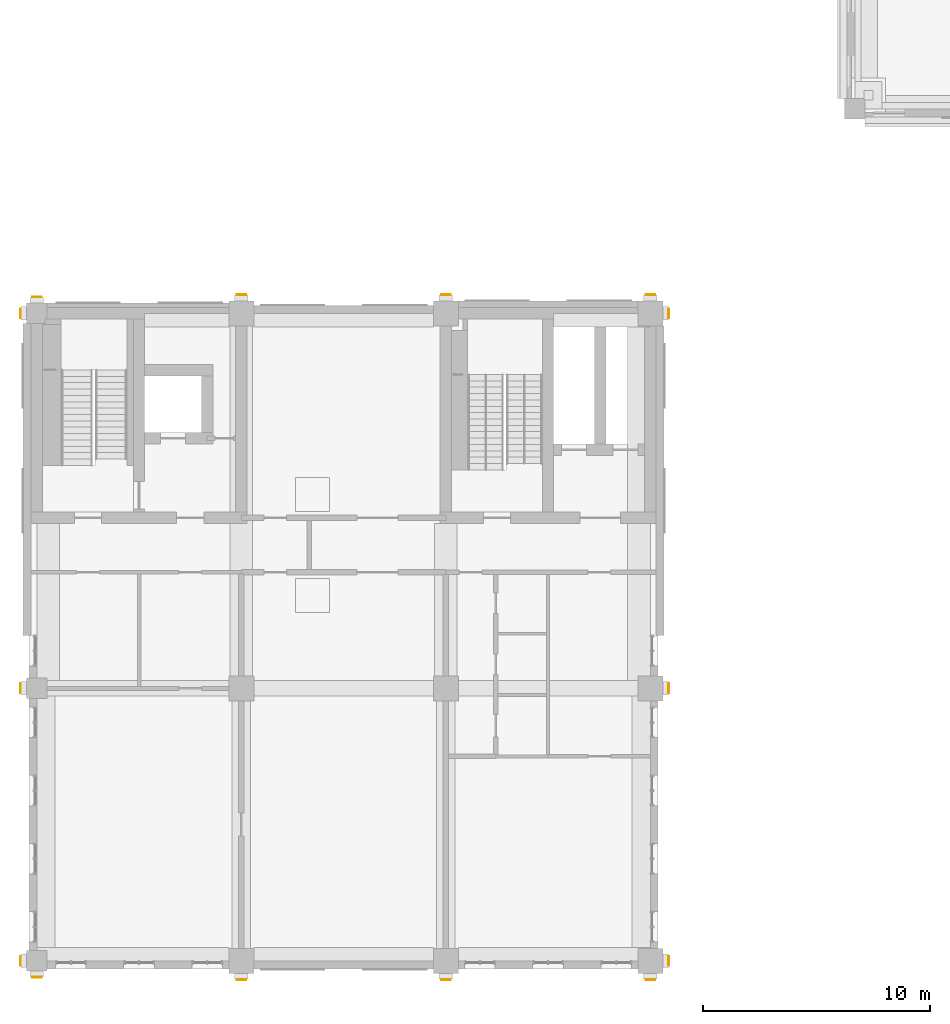
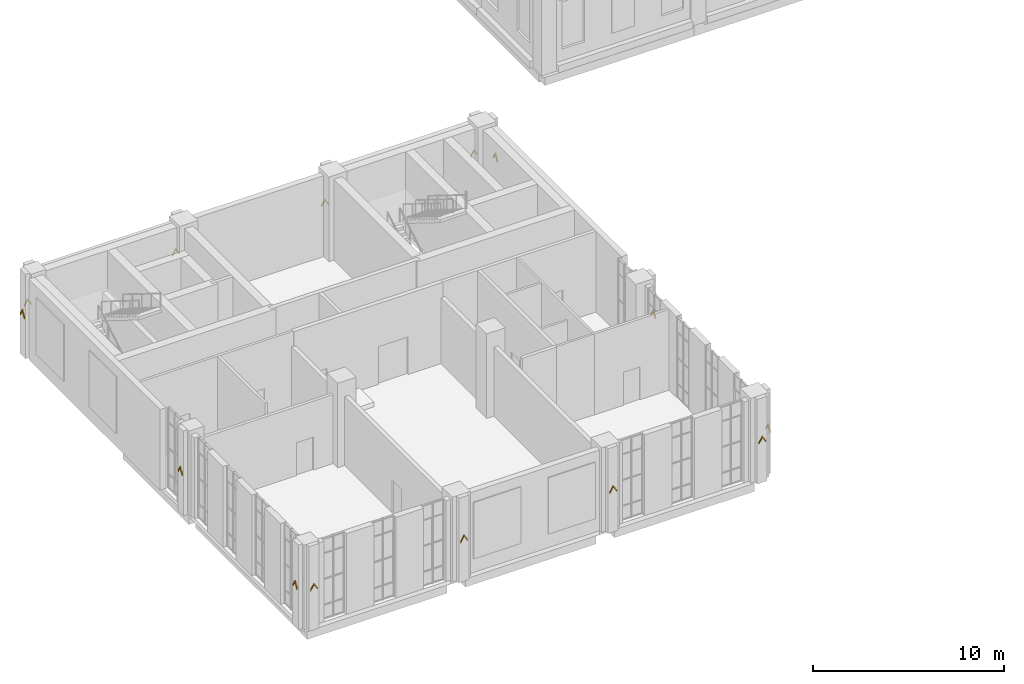
# One storey, part 22 of 22: 14 coverings.
"""IFC4 building model written with IfcOpenShell, lengths in metres."""

from ifc_helpers import new_model, si_unit, direction, frame, origin, place, context, subcontext, project, spatial, polyline, outline, extrude, material, layer, layer_set, type_object, element, save


model = new_model("IFC4")

# Units and contexts
model_context = context("Model", 3, precision=1e-05, world=origin(), true_north=direction((0.0, 1.0)))
body_context = subcontext(model_context, "Body", "Model", "MODEL_VIEW")
ifc_project = project(units=[si_unit("LENGTHUNIT", "METRE"), si_unit("AREAUNIT", "SQUARE_METRE"), si_unit("VOLUMEUNIT", "CUBIC_METRE"), si_unit("PLANEANGLEUNIT", "RADIAN"), si_unit("MASSUNIT", "GRAM", prefix="KILO")], contexts=[model_context])

# Site, building, storey
site_placement = place(None, origin())
site = spatial("IfcSite", under=ifc_project, at=site_placement, CompositionType="ELEMENT")
building_placement = place(site_placement, origin())
building = spatial("IfcBuilding", under=site, at=building_placement, Name="Aurelan Courthouse", CompositionType="ELEMENT")
storey_placement = place(building_placement, frame((0.0, 0.0, 39.0)))
storey = spatial("IfcBuildingStorey", under=building, at=storey_placement, Name="L07", CompositionType="ELEMENT", Elevation=39.0)

# Coverings
ifc_material = material(Name="Bronze sheet cladding")
ifc_layer = layer(ifc_material, 0.0400390625)
ifc_layer_set = layer_set([ifc_layer], Name="Bronze sheet cladding")
covering_type = type_object("IfcCoveringType", Name="Courts' Floors chevron relief 420 x 470", PredefinedType="CLADDING", material=ifc_layer_set)
for number, where, z_axis, x_axis, name in (
    (1, (0.0, -0.699951171875, -39.0), (0.0, -1.0, 0.0), (1.0, 0.0, 0.0), "Chevron relief CH-V5-071"),
    (2, (9.0, -0.800048828125, -39.0), (0.0, -1.0, 0.0), (1.0, 0.0, 0.0), "Chevron relief CH-V5-072"),
    (3, (18.0, -0.800048828125, -39.0), (0.0, -1.0, 0.0), (1.0, 0.0, 0.0), "Chevron relief CH-V5-073"),
    (4, (27.0, -0.800048828125, -39.0), (0.0, -1.0, 0.0), (1.0, 0.0, 0.0), "Chevron relief CH-V5-074"),
    (5, (0.0, 29.199951171875, -39.0), (0.0, 1.0, 0.0), (-1.0, 0.0, 0.0), "Chevron relief CH-V5-075"),
    (6, (9.0, 29.300048828125, -39.0), (0.0, 1.0, 0.0), (-1.0, 0.0, 0.0), "Chevron relief CH-V5-076"),
    (7, (18.0, 29.300048828125, -39.0), (0.0, 1.0, 0.0), (-1.0, 0.0, 0.0), "Chevron relief CH-V5-077"),
    (8, (27.0, 29.300048828125, -39.0), (0.0, 1.0, 0.0), (-1.0, 0.0, 0.0), "Chevron relief CH-V5-078"),
    (9, (27.800048828125, 0.0, -39.0), (1.0, 0.0, 0.0), (0.0, 1.0, 0.0), "Chevron relief CH-V5-079"),
    (10, (27.800048828125, 12.0, -39.0), (1.0, 0.0, 0.0), (0.0, 1.0, 0.0), "Chevron relief CH-V5-080"),
    (11, (27.800048828125, 28.5, -39.0), (1.0, 0.0, 0.0), (0.0, 1.0, 0.0), "Chevron relief CH-V5-081"),
    (12, (-0.699951171875, 0.0, -39.0), (-1.0, 0.0, 0.0), (0.0, -1.0, 0.0), "Chevron relief CH-V5-082"),
    (13, (-0.699951171875, 12.0, -39.0), (-1.0, 0.0, 0.0), (0.0, -1.0, 0.0), "Chevron relief CH-V5-083"),
    (14, (-0.699951171875, 28.5, -39.0), (-1.0, 0.0, 0.0), (0.0, -1.0, 0.0), "Chevron relief CH-V5-084"),
):
    element("IfcCovering", number, at=place(storey_placement, frame(where, z_axis=z_axis, x_axis=x_axis)), inside=storey, type_object=covering_type, Name=name, PredefinedType="CLADDING", context=body_context, shape_type="SweptSolid", body=[
        extrude(outline(polyline([(-0.2099609375, 41.52490234375), (0.0, 41.875), (0.2099609375, 41.52490234375), (0.2099609375, 41.64501953125), (0.0, 41.9951171875), (-0.2099609375, 41.64501953125), (-0.2099609375, 41.52490234375)])), origin(), (0.0, 0.0, 1.0), 0.0400390625),
    ])

save(model, "model.ifc")
